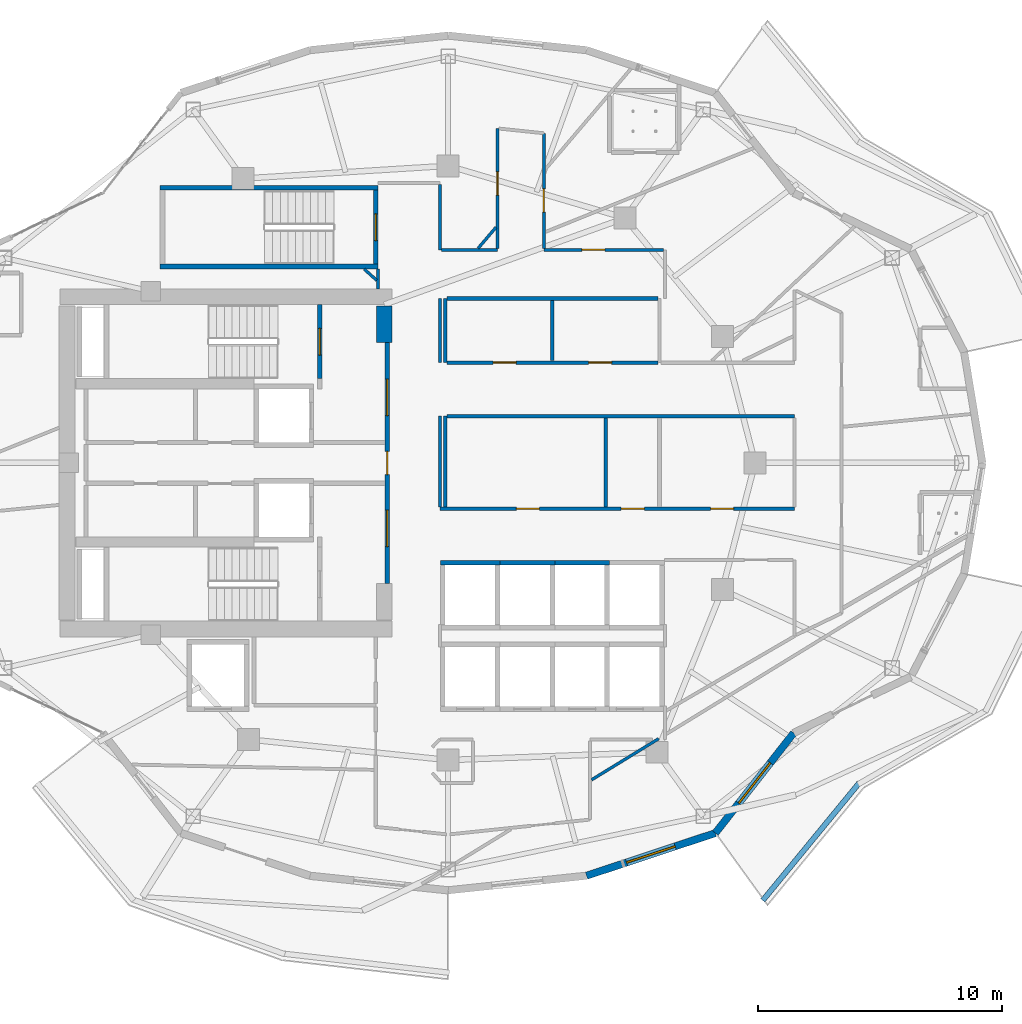
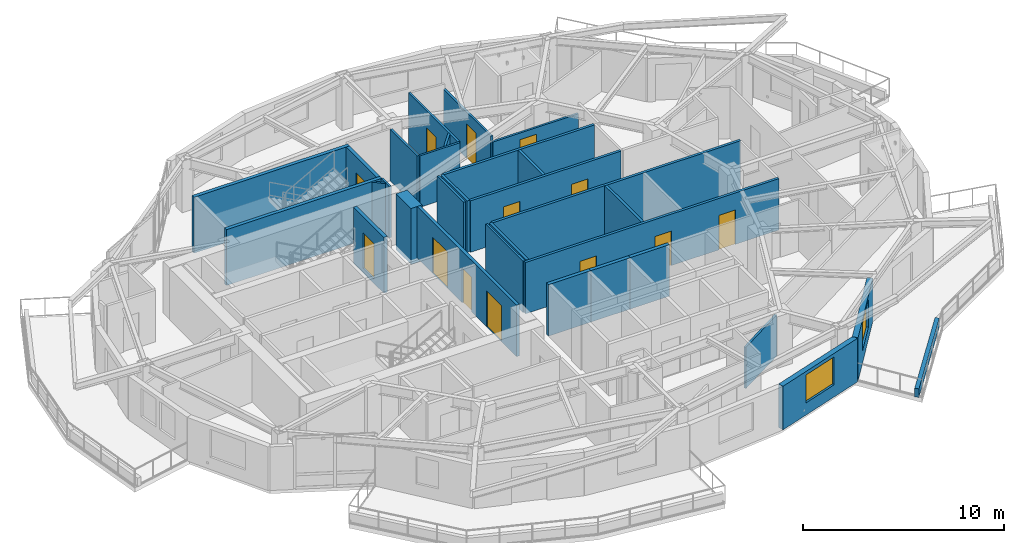
# One storey, part 9 of 16: 31 walls, 13 doors, 2 windows, 15 openings.
"""IFC4 building model written with IfcOpenShell, lengths in metres."""

from ifc_helpers import new_model, si_unit, direction, frame, frame_2d, origin, place, context, subcontext, project, spatial, rectangle, extrude, material, layer, layer_set, type_object, element, fill, save


model = new_model("IFC4")

# Units and contexts
model_context = context("Model", 3, precision=1e-05, world=origin(), true_north=direction((0.0, 1.0)))
body_context = subcontext(model_context, "Body", "Model", "MODEL_VIEW")
ifc_project = project(units=[si_unit("LENGTHUNIT", "METRE"), si_unit("AREAUNIT", "SQUARE_METRE"), si_unit("VOLUMEUNIT", "CUBIC_METRE"), si_unit("PLANEANGLEUNIT", "RADIAN"), si_unit("MASSUNIT", "GRAM", prefix="KILO")], contexts=[model_context])

# Site, building, storey
site_placement = place(None, origin())
site = spatial("IfcSite", under=ifc_project, at=site_placement, CompositionType="ELEMENT")
building_placement = place(site_placement, origin())
building = spatial("IfcBuilding", under=site, at=building_placement, Name="Kolvaren Gate Tower and Convention Centre", CompositionType="ELEMENT")
storey_placement = place(building_placement, frame((0.0, 0.0, 149.5)))
storey = spatial("IfcBuildingStorey", under=building, at=storey_placement, Name="L38", CompositionType="ELEMENT", Elevation=149.5)

# Wall, openings, doors
ifc_material_1 = material(Name="Autoclaved Aerated Masonry Blockwork Class 4 (4.0 MPa)", Category="masonry")
ifc_layer_1 = layer(ifc_material_1, 0.179931640625)
ifc_layer_set_1 = layer_set([ifc_layer_1], Name="Autoclaved Aerated Masonry Blockwork Class 4 (4.0 MPa)")
wall_type_1 = type_object("IfcWallType", Name="ARCH-WL-COMP-180", PredefinedType="SOLIDWALL", material=ifc_layer_set_1)
wall_1_placement = place(storey_placement, frame((27.6201171875, 22.050048828125, 0.0), z_axis=(0.0, 0.0, 1.0), x_axis=(0.0, 1.0, 0.0)))
wall_1 = element("IfcWall", 1, at=wall_1_placement, inside=storey, type_object=wall_type_1, Name="Interior Partition WL-L38-INT-004", PredefinedType="SOLIDWALL", context=body_context, shape_type="SweptSolid", body=[
    extrude(rectangle(XDim=9.89990234375, YDim=0.179931640625, at=frame_2d((4.949951171875, 0.0))), origin(), (0.0, 0.0, 1.0), 3.1298828125),
])
opening_1_placement = place(wall_1_placement, frame((4.47509765625, 0.0, 0.0)))
opening_1 = element("IfcOpeningElement", 2, at=opening_1_placement, cuts=wall_1, Name="Opening DR-01", PredefinedType="OPENING", context=body_context, shape_type="SweptSolid", body=[
    extrude(rectangle(XDim=0.949951171875, YDim=2.10009765625, at=frame_2d((0.47509765625, 1.050048828125))), frame((0.0, 0.099853515625, 0.0), z_axis=(0.0, -1.0, 0.0), x_axis=(1.0, 0.0, 0.0)), (0.0, 0.0, 1.0), 0.199951171875),
])
opening_2_placement = place(wall_1_placement, frame((6.889892578125, 0.0, 0.0)))
opening_2 = element("IfcOpeningElement", 3, at=opening_2_placement, cuts=wall_1, Name="Opening DL-01", PredefinedType="OPENING", context=body_context, shape_type="SweptSolid", body=[
    extrude(rectangle(XDim=1.5, YDim=2.199951171875, at=frame_2d((0.75, 1.10009765625))), frame((0.0, 0.099853515625, 0.0), z_axis=(0.0, -1.0, 0.0), x_axis=(1.0, 0.0, 0.0)), (0.0, 0.0, 1.0), 0.199951171875),
])
opening_3_placement = place(wall_1_placement, frame((1.510009765625, 0.0, 0.0)))
opening_3 = element("IfcOpeningElement", 4, at=opening_3_placement, cuts=wall_1, Name="Opening DL-01", PredefinedType="OPENING", context=body_context, shape_type="SweptSolid", body=[
    extrude(rectangle(XDim=1.5, YDim=2.199951171875, at=frame_2d((0.75, 1.10009765625))), frame((0.0, 0.099853515625, 0.0), z_axis=(0.0, -1.0, 0.0), x_axis=(1.0, 0.0, 0.0)), (0.0, 0.0, 1.0), 0.199951171875),
])
ifc_material_2 = material(Name="Painted Architectural Steelwork ASTM A500 Grade C 345 MPa", Category="steel")
door_type_1 = type_object("IfcDoorType", Name="ARCH-DR-LOBBY-1500", OperationType="DOUBLE_DOOR_SINGLE_SWING", PredefinedType="DOOR", material=ifc_material_2)
door_1_placement = place(opening_2_placement, origin())
door_1 = element("IfcDoor", 5, at=door_1_placement, inside=storey, type_object=door_type_1, Name="North Firefighting Stair and Lift Lobby Door", OperationType="DOUBLE_DOOR_SINGLE_SWING", OverallHeight=2.199951171875, OverallWidth=1.5, PredefinedType="DOOR", context=body_context, shape_type="SweptSolid", body=[
    extrude(rectangle(XDim=1.5, YDim=2.199951171875, at=frame_2d((0.75, 1.10009765625))), frame((0.0, 0.02490234375, 0.0), z_axis=(0.0, -1.0, 0.0), x_axis=(1.0, 0.0, 0.0)), (0.0, 0.0, 1.0), 0.050048828125),
])
fill(opening_2, door_1)
door_2_placement = place(opening_3_placement, origin())
door_2 = element("IfcDoor", 6, at=door_2_placement, inside=storey, type_object=door_type_1, Name="South Firefighting Stair and Lift Lobby Door", OperationType="DOUBLE_DOOR_SINGLE_SWING", OverallHeight=2.199951171875, OverallWidth=1.5, PredefinedType="DOOR", context=body_context, shape_type="SweptSolid", body=[
    extrude(rectangle(XDim=1.5, YDim=2.199951171875, at=frame_2d((0.75, 1.10009765625))), frame((0.0, 0.02490234375, 0.0), z_axis=(0.0, -1.0, 0.0), x_axis=(1.0, 0.0, 0.0)), (0.0, 0.0, 1.0), 0.050048828125),
])
fill(opening_3, door_2)
door_type_2 = type_object("IfcDoorType", Name="ARCH-DR-RISER-950", OperationType="SINGLE_SWING_RIGHT", PredefinedType="DOOR", material=ifc_material_2)
door_3_placement = place(opening_1_placement, origin())
door_3 = element("IfcDoor", 7, at=door_3_placement, inside=storey, type_object=door_type_2, Name="Central MEP Service Corridor Door", OperationType="SINGLE_SWING_LEFT", OverallHeight=2.10009765625, OverallWidth=0.949951171875, PredefinedType="DOOR", context=body_context, shape_type="SweptSolid", body=[
    extrude(rectangle(XDim=0.949951171875, YDim=2.10009765625, at=frame_2d((0.47509765625, 1.050048828125))), frame((0.0, 0.02490234375, 0.0), z_axis=(0.0, -1.0, 0.0), x_axis=(1.0, 0.0, 0.0)), (0.0, 0.0, 1.0), 0.050048828125),
])
fill(opening_1, door_3)

# Walls
ifc_material_3 = material(Name="Fire-Rated Acoustic Gypsum Stud Partition", Category="gypsum")
ifc_layer_2 = layer(ifc_material_3, 0.1201171875)
ifc_layer_set_2 = layer_set([ifc_layer_2], Name="Fire-Rated Acoustic Gypsum Stud Partition")
wall_type_2 = type_object("IfcWallType", Name="ARCH-WL-PART-120", PredefinedType="PARTITIONING", material=ifc_layer_set_2)
wall_2_placement = place(storey_placement, frame((27.25, 34.152099609375, 0.0), z_axis=(0.0, 0.0, 1.0), x_axis=(0.0, 1.0, 0.0)))
element("IfcWall", 8, at=wall_2_placement, inside=storey, type_object=wall_type_2, Name="Interior Partition WL-L38-INT-030", PredefinedType="PARTITIONING", context=body_context, shape_type="SweptSolid", body=[
    extrude(rectangle(XDim=0.805908203125, YDim=0.1201171875, at=frame_2d((0.40283203125, 0.0))), origin(), (0.0, 0.0, 1.0), 3.1298828125),
])
wall_3_placement = place(storey_placement, frame((29.780029296875, 25.197021484375, 0.0), z_axis=(0.0, 0.0, 1.0), x_axis=(0.0, 1.0, 0.0)))
element("IfcWall", 9, at=wall_3_placement, inside=storey, type_object=wall_type_2, Name="Interior Partition WL-L38-INT-033", PredefinedType="PARTITIONING", context=body_context, shape_type="SweptSolid", body=[
    extrude(rectangle(XDim=3.722900390625, YDim=0.1201171875, at=frame_2d((1.861328125, 0.0))), origin(), (0.0, 0.0, 1.0), 3.1298828125),
])
wall_4_placement = place(storey_placement, frame((29.780029296875, 31.1201171875, 0.0), z_axis=(0.0, 0.0, 1.0), x_axis=(0.0, 1.0, 0.0)))
element("IfcWall", 10, at=wall_4_placement, inside=storey, type_object=wall_type_2, Name="Interior Partition WL-L38-INT-034", PredefinedType="PARTITIONING", context=body_context, shape_type="SweptSolid", body=[
    extrude(rectangle(XDim=2.6298828125, YDim=0.1201171875, at=frame_2d((1.31494140625, 0.0))), origin(), (0.0, 0.0, 1.0), 3.1298828125),
])
wall_5_placement = place(storey_placement, frame((29.780029296875, 35.75, 0.0), z_axis=(0.0, 0.0, 1.0), x_axis=(0.0, 1.0, 0.0)))
element("IfcWall", 11, at=wall_5_placement, inside=storey, type_object=wall_type_2, Name="Interior Partition WL-L38-INT-035", PredefinedType="PARTITIONING", context=body_context, shape_type="SweptSolid", body=[
    extrude(rectangle(XDim=2.68798828125, YDim=0.1201171875, at=frame_2d((1.343994140625, 0.0))), origin(), (0.0, 0.0, 1.0), 3.1298828125),
])
wall_6_placement = place(storey_placement, frame((29.842041015625, 35.75, 0.0), z_axis=(0.0, 0.0, 1.0), x_axis=(1.0, 0.0, 0.0)))
element("IfcWall", 12, at=wall_6_placement, inside=storey, type_object=wall_type_2, Name="Interior Partition WL-L38-INT-036", PredefinedType="PARTITIONING", context=body_context, shape_type="SweptSolid", body=[
    extrude(rectangle(XDim=2.307861328125, YDim=0.1201171875, at=frame_2d((1.15380859375, 0.0))), origin(), (0.0, 0.0, 1.0), 3.1298828125),
])

# Wall, opening, door
wall_7_placement = place(storey_placement, frame((34.050048828125, 35.75, 0.0), z_axis=(0.0, 0.0, 1.0), x_axis=(1.0, 0.0, 0.0)))
wall_7 = element("IfcWall", 13, at=wall_7_placement, inside=storey, type_object=wall_type_2, Name="Interior Partition WL-L38-INT-037", PredefinedType="PARTITIONING", context=body_context, shape_type="SweptSolid", body=[
    extrude(rectangle(XDim=4.907958984375, YDim=0.1201171875, at=frame_2d((2.4541015625, 0.0))), origin(), (0.0, 0.0, 1.0), 2.5048828125),
])
opening_4_placement = place(wall_7_placement, frame((1.55908203125, 0.0, 0.0)))
opening_4 = element("IfcOpeningElement", 14, at=opening_4_placement, cuts=wall_7, Name="Opening DR-01", PredefinedType="OPENING", context=body_context, shape_type="SweptSolid", body=[
    extrude(rectangle(XDim=0.949951171875, YDim=2.10009765625, at=frame_2d((0.47509765625, 1.050048828125))), frame((0.0, 0.070068359375, 0.0), z_axis=(0.0, -1.0, 0.0), x_axis=(1.0, 0.0, 0.0)), (0.0, 0.0, 1.0), 0.14013671875),
])
door_4_placement = place(opening_4_placement, origin())
door_4 = element("IfcDoor", 15, at=door_4_placement, inside=storey, type_object=door_type_2, Name="Hotel Botanical Clubroom Door", OperationType="SINGLE_SWING_RIGHT", OverallHeight=2.10009765625, OverallWidth=0.949951171875, PredefinedType="DOOR", context=body_context, shape_type="SweptSolid", body=[
    extrude(rectangle(XDim=0.949951171875, YDim=2.10009765625, at=frame_2d((0.47509765625, 1.050048828125))), frame((0.0, 0.02490234375, 0.0), z_axis=(0.0, -1.0, 0.0), x_axis=(1.0, 0.0, 0.0)), (0.0, 0.0, 1.0), 0.050048828125),
])
fill(opening_4, door_4)

wall_8_placement = place(storey_placement, frame((32.14990234375, 35.81201171875, 0.0), z_axis=(0.0, 0.0, 1.0), x_axis=(0.0, 1.0, 0.0)))
wall_8 = element("IfcWall", 16, at=wall_8_placement, inside=storey, type_object=wall_type_2, Name="Interior Partition WL-L38-INT-038", PredefinedType="PARTITIONING", context=body_context, shape_type="SweptSolid", body=[
    extrude(rectangle(XDim=4.925048828125, YDim=0.1201171875, at=frame_2d((2.46240234375, 0.0))), origin(), (0.0, 0.0, 1.0), 3.1298828125),
])
opening_5_placement = place(wall_8_placement, frame((2.185302734375, 0.0, 0.0)))
opening_5 = element("IfcOpeningElement", 17, at=opening_5_placement, cuts=wall_8, Name="Opening DR-01", PredefinedType="OPENING", context=body_context, shape_type="SweptSolid", body=[
    extrude(rectangle(XDim=0.949951171875, YDim=2.10009765625, at=frame_2d((0.47509765625, 1.050048828125))), frame((0.0, 0.070068359375, 0.0), z_axis=(0.0, -1.0, 0.0), x_axis=(1.0, 0.0, 0.0)), (0.0, 0.0, 1.0), 0.14013671875),
])
door_5_placement = place(opening_5_placement, origin())
door_5 = element("IfcDoor", 18, at=door_5_placement, inside=storey, type_object=door_type_2, Name="Deluxe Hotel Suite (HTL-L38-10) Door", OperationType="SINGLE_SWING_RIGHT", OverallHeight=2.10009765625, OverallWidth=0.949951171875, PredefinedType="DOOR", context=body_context, shape_type="SweptSolid", body=[
    extrude(rectangle(XDim=0.949951171875, YDim=2.10009765625, at=frame_2d((0.47509765625, 1.050048828125))), frame((0.0, 0.02490234375, 0.0), z_axis=(0.0, -1.0, 0.0), x_axis=(1.0, 0.0, 0.0)), (0.0, 0.0, 1.0), 0.050048828125),
])
fill(opening_5, door_5)

wall_9_placement = place(storey_placement, frame((34.050048828125, 35.81201171875, 0.0), z_axis=(0.0, 0.0, 1.0), x_axis=(0.0, 1.0, 0.0)))
wall_9 = element("IfcWall", 19, at=wall_9_placement, inside=storey, type_object=wall_type_2, Name="Interior Partition WL-L38-INT-040", PredefinedType="PARTITIONING", context=body_context, shape_type="SweptSolid", body=[
    extrude(rectangle(XDim=4.72509765625, YDim=0.1201171875, at=frame_2d((2.362548828125, 0.0))), origin(), (0.0, 0.0, 1.0), 2.81201171875),
])
opening_6_placement = place(wall_9_placement, frame((1.48828125, 0.0, 0.0)))
opening_6 = element("IfcOpeningElement", 20, at=opening_6_placement, cuts=wall_9, Name="Opening DR-01", PredefinedType="OPENING", context=body_context, shape_type="SweptSolid", body=[
    extrude(rectangle(XDim=0.949951171875, YDim=2.10009765625, at=frame_2d((0.47509765625, 1.050048828125))), frame((0.0, 0.070068359375, 0.0), z_axis=(0.0, -1.0, 0.0), x_axis=(1.0, 0.0, 0.0)), (0.0, 0.0, 1.0), 0.14013671875),
])
door_6_placement = place(opening_6_placement, origin())
door_6 = element("IfcDoor", 21, at=door_6_placement, inside=storey, type_object=door_type_2, Name="Deluxe Hotel Suite (HTL-L38-09) Door", OperationType="SINGLE_SWING_LEFT", OverallHeight=2.10009765625, OverallWidth=0.949951171875, PredefinedType="DOOR", context=body_context, shape_type="SweptSolid", body=[
    extrude(rectangle(XDim=0.949951171875, YDim=2.10009765625, at=frame_2d((0.47509765625, 1.050048828125))), frame((0.0, 0.02490234375, 0.0), z_axis=(0.0, -1.0, 0.0), x_axis=(1.0, 0.0, 0.0)), (0.0, 0.0, 1.0), 0.050048828125),
])
fill(opening_6, door_6)

# Walls
wall_10_placement = place(storey_placement, frame((36.011962890625, 13.988037109375, 0.0), z_axis=(0.0, 0.0, 1.0), x_axis=(0.852640355982, 0.522498252008, 0.0)))
element("IfcWall", 22, at=wall_10_placement, inside=storey, type_object=wall_type_2, Name="Interior Partition WL-L38-INT-056", PredefinedType="PARTITIONING", context=body_context, shape_type="SweptSolid", body=[
    extrude(rectangle(XDim=3.230224609375, YDim=0.1201171875, at=frame_2d((1.615234375, 0.0))), origin(), (0.0, 0.0, 1.0), 2.5048828125),
])
wall_11_placement = place(storey_placement, frame((31.3525390625, 35.81201171875, 0.0), z_axis=(0.0, 0.0, 1.0), x_axis=(0.648023053701, 0.761620720485, 0.0)))
element("IfcWall", 23, at=wall_11_placement, inside=storey, type_object=wall_type_2, Name="Interior Partition WL-L38-INT-068", PredefinedType="PARTITIONING", context=body_context, shape_type="SweptSolid", body=[
    extrude(rectangle(XDim=1.134765625, YDim=0.1201171875, at=frame_2d((0.5673828125, 0.0))), origin(), (0.0, 0.0, 1.0), 3.1298828125),
])
wall_12_placement = place(storey_placement, frame((26.67822265625, 34.9580078125, 0.0), z_axis=(0.0, 0.0, 1.0), x_axis=(0.742975583244, -0.669318521112, 0.0)))
element("IfcWall", 24, at=wall_12_placement, inside=storey, type_object=wall_type_2, Name="Interior Partition WL-L38-INT-078", PredefinedType="PARTITIONING", context=body_context, shape_type="SweptSolid", body=[
    extrude(rectangle(XDim=0.68603515625, YDim=0.1201171875, at=frame_2d((0.343017578125, 0.0))), origin(), (0.0, 0.0, 1.0), 3.1298828125),
])
ifc_material_4 = material(Name="Piedmont Cream Honed Limestone Cladding", Category="masonry")
ifc_layer_3 = layer(ifc_material_4, 0.219970703125)
ifc_layer_set_3 = layer_set([ifc_layer_3], Name="Piedmont Cream Honed Limestone Cladding")
wall_type_3 = type_object("IfcWallType", Name="ARCH-WL-PLANTER-220", PredefinedType="PARAPET", material=ifc_layer_set_3)
wall_13_placement = place(storey_placement, frame((43.0419921875, 9.03564453125, 0.0), z_axis=(0.0, 0.0, 1.0), x_axis=(0.634429234628, 0.77298094818, 0.0)))
element("IfcWall", 25, at=wall_13_placement, inside=storey, type_object=wall_type_3, Name="Vertical-Forest Balcony Stone Planter Kerb PK-L38-4.1", PredefinedType="PARAPET", context=body_context, shape_type="SweptSolid", body=[
    extrude(rectangle(XDim=6.244873046875, YDim=0.219970703125, at=frame_2d((3.12255859375, 0.0))), origin(), (0.0, 0.0, 1.0), 0.52001953125),
])
ifc_layer_4 = layer(ifc_material_1, 0.199951171875)
ifc_layer_set_4 = layer_set([ifc_layer_4], Name="Autoclaved Aerated Masonry Blockwork Class 4 (4.0 MPa)")
wall_type_4 = type_object("IfcWallType", Name="ARCH-WL-SHAFT-200", PredefinedType="SOLIDWALL", material=ifc_layer_set_4)
wall_14_placement = place(storey_placement, frame((29.800048828125, 22.89990234375, 0.0), z_axis=(0.0, 0.0, 1.0), x_axis=(1.0, 0.0, 0.0)))
element("IfcWall", 26, at=wall_14_placement, inside=storey, type_object=wall_type_4, Name="Elevator PL-09 L38 Fire Shaft Wall N", PredefinedType="SOLIDWALL", context=body_context, shape_type="SweptSolid", body=[
    extrude(rectangle(XDim=2.449951171875, YDim=0.199951171875, at=frame_2d((1.22509765625, 0.0))), origin(), (0.0, 0.0, 1.0), 3.1298828125),
])
for number, where, z_axis, x_axis, name in (
    (27, (32.25, 22.89990234375, 0.0), (0.0, 0.0, 1.0), (1.0, 0.0, 0.0), "Elevator PL-10 L38 Fire Shaft Wall N"),
    (28, (34.5, 22.89990234375, 0.0), (0.0, 0.0, 1.0), (1.0, 0.0, 0.0), "Elevator PL-11 L38 Fire Shaft Wall N"),
):
    element("IfcWall", number, at=place(storey_placement, frame(where, z_axis=z_axis, x_axis=x_axis)), inside=storey, type_object=wall_type_4, Name=name, PredefinedType="SOLIDWALL", context=body_context, shape_type="SweptSolid", body=[
        extrude(rectangle(XDim=2.25, YDim=0.199951171875, at=frame_2d((1.125, 0.0))), origin(), (0.0, 0.0, 1.0), 3.1298828125),
    ])

# Wall, opening, window
ifc_layer_5 = layer(ifc_material_4, 0.300048828125)
ifc_layer_set_5 = layer_set([ifc_layer_5], Name="Piedmont Cream Honed Limestone Cladding")
wall_type_5 = type_object("IfcWallType", Name="ARCH-WL-STONE-300", PredefinedType="SOLIDWALL", material=ifc_layer_set_5)
wall_15_placement = place(storey_placement, frame((35.802734375, 10.048095703125, 0.0), z_axis=(0.0, 0.0, 1.0), x_axis=(0.949246811547, 0.314532177636, 0.0)))
wall_15 = element("IfcWall", 29, at=wall_15_placement, inside=storey, type_object=wall_type_5, Name="Tower L38 Honed Stone Spandrel Wall EW-19", PredefinedType="SOLIDWALL", context=body_context, shape_type="SweptSolid", body=[
    extrude(rectangle(XDim=5.573974609375, YDim=0.300048828125, at=frame_2d((2.787109375, 0.0))), origin(), (0.0, 0.0, 1.0), 2.653076171875),
])
opening_7_placement = place(wall_15_placement, frame((1.737060546875, 0.0, 0.739990234375)))
opening_7 = element("IfcOpeningElement", 30, at=opening_7_placement, cuts=wall_15, Name="Opening W-02", PredefinedType="OPENING", context=body_context, shape_type="SweptSolid", body=[
    extrude(rectangle(XDim=2.10009765625, YDim=1.699951171875, at=frame_2d((1.050048828125, 0.85009765625))), frame((0.0, 0.159912109375, 0.0), z_axis=(0.0, -1.0, 0.0), x_axis=(1.0, 0.0, 0.0)), (0.0, 0.0, 1.0), 0.320068359375),
])
ifc_material_5 = material(Name="Low-E Triple Insulated Glazing Unit 44 mm", Category="glass")
window_type = type_object("IfcWindowType", Name="ARCH-WN-HTL-2100", PartitioningType="SINGLE_PANEL", PredefinedType="WINDOW", material=ifc_material_5)
window_1_placement = place(opening_7_placement, origin())
window_1 = element("IfcWindow", 31, at=window_1_placement, inside=storey, type_object=window_type, Name="Tower L38 Punched Stone Facade Window W-19", OverallHeight=1.699951171875, OverallWidth=2.10009765625, PartitioningType="SINGLE_PANEL", PredefinedType="WINDOW", context=body_context, shape_type="SweptSolid", body=[
    extrude(rectangle(XDim=2.10009765625, YDim=1.699951171875, at=frame_2d((1.050048828125, 0.85009765625))), frame((0.0, 0.030029296875, 0.0), z_axis=(0.0, -1.0, 0.0), x_axis=(1.0, 0.0, 0.0)), (0.0, 0.0, 1.0), 0.06005859375),
])
fill(opening_7, window_1)

wall_16_placement = place(storey_placement, frame((41.09375, 11.80126953125, 0.0), z_axis=(0.0, 0.0, 1.0), x_axis=(0.616429245738, 0.787410302828, 0.0)))
wall_16 = element("IfcWall", 32, at=wall_16_placement, inside=storey, type_object=wall_type_5, Name="Tower L38 Honed Stone Spandrel Wall EW-20", PredefinedType="SOLIDWALL", context=body_context, shape_type="SweptSolid", body=[
    extrude(rectangle(XDim=5.22314453125, YDim=0.300048828125, at=frame_2d((2.611572265625, 0.0))), origin(), (0.0, 0.0, 1.0), 2.653076171875),
])
opening_8_placement = place(wall_16_placement, frame((1.56201171875, 0.0, 0.739990234375)))
opening_8 = element("IfcOpeningElement", 33, at=opening_8_placement, cuts=wall_16, Name="Opening W-02", PredefinedType="OPENING", context=body_context, shape_type="SweptSolid", body=[
    extrude(rectangle(XDim=2.10009765625, YDim=1.699951171875, at=frame_2d((1.050048828125, 0.85009765625))), frame((0.0, 0.159912109375, 0.0), z_axis=(0.0, -1.0, 0.0), x_axis=(1.0, 0.0, 0.0)), (0.0, 0.0, 1.0), 0.320068359375),
])
window_2_placement = place(opening_8_placement, origin())
window_2 = element("IfcWindow", 34, at=window_2_placement, inside=storey, type_object=window_type, Name="Tower L38 Punched Stone Facade Window W-20", OverallHeight=1.699951171875, OverallWidth=2.10009765625, PartitioningType="SINGLE_PANEL", PredefinedType="WINDOW", context=body_context, shape_type="SweptSolid", body=[
    extrude(rectangle(XDim=2.10009765625, YDim=1.699951171875, at=frame_2d((1.050048828125, 0.85009765625))), frame((0.0, 0.030029296875, 0.0), z_axis=(0.0, -1.0, 0.0), x_axis=(1.0, 0.0, 0.0)), (0.0, 0.0, 1.0), 0.06005859375),
])
fill(opening_8, window_2)

# Wall, openings, doors
ifc_material_6 = material(Name="Moisture-Resistant Cement-Board Acoustic Partition", Category="gypsum")
ifc_layer_6 = layer(ifc_material_6, 0.14990234375)
ifc_layer_set_6 = layer_set([ifc_layer_6], Name="Moisture-Resistant Cement-Board Acoustic Partition")
wall_type_6 = type_object("IfcWallType", Name="ARCH-WL-WET-150", PredefinedType="PARTITIONING", material=ifc_layer_set_6)
wall_17_placement = place(storey_placement, frame((29.780029296875, 25.1201171875, 0.0), z_axis=(0.0, 0.0, 1.0), x_axis=(1.0, 0.0, 0.0)))
wall_17 = element("IfcWall", 35, at=wall_17_placement, inside=storey, type_object=wall_type_6, Name="Interior Partition WL-L38-INT-013", PredefinedType="PARTITIONING", context=body_context, shape_type="SweptSolid", body=[
    extrude(rectangle(XDim=14.570068359375, YDim=0.14990234375, at=frame_2d((7.28515625, 0.0))), origin(), (0.0, 0.0, 1.0), 3.1298828125),
])
opening_9_placement = place(wall_17_placement, frame((3.139892578125, 0.0, 0.0)))
opening_9 = element("IfcOpeningElement", 36, at=opening_9_placement, cuts=wall_17, Name="Opening DR-01", PredefinedType="OPENING", context=body_context, shape_type="SweptSolid", body=[
    extrude(rectangle(XDim=0.949951171875, YDim=2.10009765625, at=frame_2d((0.47509765625, 1.050048828125))), frame((0.0, 0.0849609375, 0.0), z_axis=(0.0, -1.0, 0.0), x_axis=(1.0, 0.0, 0.0)), (0.0, 0.0, 1.0), 0.169921875),
])
opening_10_placement = place(wall_17_placement, frame((7.445068359375, 0.0, 0.0)))
opening_10 = element("IfcOpeningElement", 37, at=opening_10_placement, cuts=wall_17, Name="Opening DR-01", PredefinedType="OPENING", context=body_context, shape_type="SweptSolid", body=[
    extrude(rectangle(XDim=0.949951171875, YDim=2.10009765625, at=frame_2d((0.47509765625, 1.050048828125))), frame((0.0, 0.0849609375, 0.0), z_axis=(0.0, -1.0, 0.0), x_axis=(1.0, 0.0, 0.0)), (0.0, 0.0, 1.0), 0.169921875),
])
opening_11_placement = place(wall_17_placement, frame((11.114990234375, 0.0, 0.0)))
opening_11 = element("IfcOpeningElement", 38, at=opening_11_placement, cuts=wall_17, Name="Opening DR-01", PredefinedType="OPENING", context=body_context, shape_type="SweptSolid", body=[
    extrude(rectangle(XDim=0.949951171875, YDim=2.10009765625, at=frame_2d((0.47509765625, 1.050048828125))), frame((0.0, 0.0849609375, 0.0), z_axis=(0.0, -1.0, 0.0), x_axis=(1.0, 0.0, 0.0)), (0.0, 0.0, 1.0), 0.169921875),
])
door_7_placement = place(opening_9_placement, origin())
door_7 = element("IfcDoor", 39, at=door_7_placement, inside=storey, type_object=door_type_2, Name="Accessible Universal Washroom Door", OperationType="SINGLE_SWING_LEFT", OverallHeight=2.10009765625, OverallWidth=0.949951171875, PredefinedType="DOOR", context=body_context, shape_type="SweptSolid", body=[
    extrude(rectangle(XDim=0.949951171875, YDim=2.10009765625, at=frame_2d((0.47509765625, 1.050048828125))), frame((0.0, 0.02490234375, 0.0), z_axis=(0.0, -1.0, 0.0), x_axis=(1.0, 0.0, 0.0)), (0.0, 0.0, 1.0), 0.050048828125),
])
fill(opening_9, door_7)
door_8_placement = place(opening_10_placement, origin())
door_8 = element("IfcDoor", 40, at=door_8_placement, inside=storey, type_object=door_type_2, Name="Hotel Housekeeping and Linen Store Door", OperationType="SINGLE_SWING_RIGHT", OverallHeight=2.10009765625, OverallWidth=0.949951171875, PredefinedType="DOOR", context=body_context, shape_type="SweptSolid", body=[
    extrude(rectangle(XDim=0.949951171875, YDim=2.10009765625, at=frame_2d((0.47509765625, 1.050048828125))), frame((0.0, 0.02490234375, 0.0), z_axis=(0.0, -1.0, 0.0), x_axis=(1.0, 0.0, 0.0)), (0.0, 0.0, 1.0), 0.050048828125),
])
fill(opening_10, door_8)
door_9_placement = place(opening_11_placement, origin())
door_9 = element("IfcDoor", 41, at=door_9_placement, inside=storey, type_object=door_type_2, Name="Hotel Botanical Clubroom Door", OperationType="SINGLE_SWING_RIGHT", OverallHeight=2.10009765625, OverallWidth=0.949951171875, PredefinedType="DOOR", context=body_context, shape_type="SweptSolid", body=[
    extrude(rectangle(XDim=0.949951171875, YDim=2.10009765625, at=frame_2d((0.47509765625, 1.050048828125))), frame((0.0, 0.02490234375, 0.0), z_axis=(0.0, -1.0, 0.0), x_axis=(1.0, 0.0, 0.0)), (0.0, 0.0, 1.0), 0.050048828125),
])
fill(opening_11, door_9)

# Walls
wall_18_placement = place(storey_placement, frame((30.0, 25.197021484375, 0.0), z_axis=(0.0, 0.0, 1.0), x_axis=(0.0, 1.0, 0.0)))
element("IfcWall", 42, at=wall_18_placement, inside=storey, type_object=wall_type_6, Name="Interior Partition WL-L38-INT-014", PredefinedType="PARTITIONING", context=body_context, shape_type="SweptSolid", body=[
    extrude(rectangle(XDim=3.722900390625, YDim=0.14990234375, at=frame_2d((1.861328125, 0.0))), origin(), (0.0, 0.0, 1.0), 3.1298828125),
])
wall_19_placement = place(storey_placement, frame((30.0, 31.1201171875, 0.0), z_axis=(0.0, 0.0, 1.0), x_axis=(0.0, 1.0, 0.0)))
element("IfcWall", 43, at=wall_19_placement, inside=storey, type_object=wall_type_6, Name="Interior Partition WL-L38-INT-015", PredefinedType="PARTITIONING", context=body_context, shape_type="SweptSolid", body=[
    extrude(rectangle(XDim=2.6298828125, YDim=0.14990234375, at=frame_2d((1.31494140625, 0.0))), origin(), (0.0, 0.0, 1.0), 3.1298828125),
])
wall_20_placement = place(storey_placement, frame((30.076904296875, 28.919921875, 0.0), z_axis=(0.0, 0.0, 1.0), x_axis=(1.0, 0.0, 0.0)))
element("IfcWall", 44, at=wall_20_placement, inside=storey, type_object=wall_type_6, Name="Interior Partition WL-L38-INT-016", PredefinedType="PARTITIONING", context=body_context, shape_type="SweptSolid", body=[
    extrude(rectangle(XDim=14.273193359375, YDim=0.14990234375, at=frame_2d((7.13671875, 0.0))), origin(), (0.0, 0.0, 1.0), 3.1298828125),
])
wall_21_placement = place(storey_placement, frame((36.60009765625, 25.197021484375, 0.0), z_axis=(0.0, 0.0, 1.0), x_axis=(0.0, 1.0, 0.0)))
element("IfcWall", 45, at=wall_21_placement, inside=storey, type_object=wall_type_6, Name="Interior Partition WL-L38-INT-017", PredefinedType="PARTITIONING", context=body_context, shape_type="SweptSolid", body=[
    extrude(rectangle(XDim=3.64599609375, YDim=0.14990234375, at=frame_2d((1.822998046875, 0.0))), origin(), (0.0, 0.0, 1.0), 3.1298828125),
])

# Wall, openings, doors
wall_22_placement = place(storey_placement, frame((30.076904296875, 31.1201171875, 0.0), z_axis=(0.0, 0.0, 1.0), x_axis=(1.0, 0.0, 0.0)))
wall_22 = element("IfcWall", 46, at=wall_22_placement, inside=storey, type_object=wall_type_6, Name="Interior Partition WL-L38-INT-020", PredefinedType="PARTITIONING", context=body_context, shape_type="SweptSolid", body=[
    extrude(rectangle(XDim=8.6611328125, YDim=0.14990234375, at=frame_2d((4.33056640625, 0.0))), origin(), (0.0, 0.0, 1.0), 3.1298828125),
])
opening_12_placement = place(wall_22_placement, frame((1.8916015625, 0.0, 0.0)))
opening_12 = element("IfcOpeningElement", 47, at=opening_12_placement, cuts=wall_22, Name="Opening DR-01", PredefinedType="OPENING", context=body_context, shape_type="SweptSolid", body=[
    extrude(rectangle(XDim=0.949951171875, YDim=2.10009765625, at=frame_2d((0.47509765625, 1.050048828125))), frame((0.0, 0.0849609375, 0.0), z_axis=(0.0, -1.0, 0.0), x_axis=(1.0, 0.0, 0.0)), (0.0, 0.0, 1.0), 0.169921875),
])
opening_13_placement = place(wall_22_placement, frame((5.81201171875, 0.0, 0.0)))
opening_13 = element("IfcOpeningElement", 48, at=opening_13_placement, cuts=wall_22, Name="Opening DR-01", PredefinedType="OPENING", context=body_context, shape_type="SweptSolid", body=[
    extrude(rectangle(XDim=0.949951171875, YDim=2.10009765625, at=frame_2d((0.47509765625, 1.050048828125))), frame((0.0, 0.0849609375, 0.0), z_axis=(0.0, -1.0, 0.0), x_axis=(1.0, 0.0, 0.0)), (0.0, 0.0, 1.0), 0.169921875),
])
door_10_placement = place(opening_12_placement, origin())
door_10 = element("IfcDoor", 49, at=door_10_placement, inside=storey, type_object=door_type_2, Name="Valet and Linen Store Door", OperationType="SINGLE_SWING_LEFT", OverallHeight=2.10009765625, OverallWidth=0.949951171875, PredefinedType="DOOR", context=body_context, shape_type="SweptSolid", body=[
    extrude(rectangle(XDim=0.949951171875, YDim=2.10009765625, at=frame_2d((0.47509765625, 1.050048828125))), frame((0.0, 0.02490234375, 0.0), z_axis=(0.0, -1.0, 0.0), x_axis=(1.0, 0.0, 0.0)), (0.0, 0.0, 1.0), 0.050048828125),
])
fill(opening_12, door_10)
door_11_placement = place(opening_13_placement, origin())
door_11 = element("IfcDoor", 50, at=door_11_placement, inside=storey, type_object=door_type_2, Name="Ice and Beverage Pantry Door", OperationType="SINGLE_SWING_RIGHT", OverallHeight=2.10009765625, OverallWidth=0.949951171875, PredefinedType="DOOR", context=body_context, shape_type="SweptSolid", body=[
    extrude(rectangle(XDim=0.949951171875, YDim=2.10009765625, at=frame_2d((0.47509765625, 1.050048828125))), frame((0.0, 0.02490234375, 0.0), z_axis=(0.0, -1.0, 0.0), x_axis=(1.0, 0.0, 0.0)), (0.0, 0.0, 1.0), 0.050048828125),
])
fill(opening_13, door_11)

# Walls
wall_23_placement = place(storey_placement, frame((30.076904296875, 33.75, 0.0), z_axis=(0.0, 0.0, 1.0), x_axis=(1.0, 0.0, 0.0)))
element("IfcWall", 51, at=wall_23_placement, inside=storey, type_object=wall_type_6, Name="Interior Partition WL-L38-INT-021", PredefinedType="PARTITIONING", context=body_context, shape_type="SweptSolid", body=[
    extrude(rectangle(XDim=8.6611328125, YDim=0.14990234375, at=frame_2d((4.33056640625, 0.0))), origin(), (0.0, 0.0, 1.0), 3.1298828125),
])
wall_24_placement = place(storey_placement, frame((34.39990234375, 31.197021484375, 0.0), z_axis=(0.0, 0.0, 1.0), x_axis=(0.0, 1.0, 0.0)))
element("IfcWall", 52, at=wall_24_placement, inside=storey, type_object=wall_type_6, Name="Interior Partition WL-L38-INT-022", PredefinedType="PARTITIONING", context=body_context, shape_type="SweptSolid", body=[
    extrude(rectangle(XDim=2.47607421875, YDim=0.14990234375, at=frame_2d((1.238037109375, 0.0))), origin(), (0.0, 0.0, 1.0), 3.1298828125),
])
ifc_material_7 = material(Name="Concrete C60/75", Category="concrete")
ifc_layer_7 = layer(ifc_material_7, 0.64990234375)
ifc_layer_set_7 = layer_set([ifc_layer_7], Name="Concrete C60/75")
wall_type_7 = type_object("IfcWallType", Name="STR-WL-CORE-650", PredefinedType="SHEAR", material=ifc_layer_set_7)
wall_25_placement = place(storey_placement, frame((27.5, 31.949951171875, -0.27001953125), z_axis=(0.0, 0.0, 1.0), x_axis=(0.0, 1.0, 0.0)))
element("IfcWall", 53, at=wall_25_placement, inside=storey, type_object=wall_type_7, Name="Tower L38 Offset Core Shear Wall EN", PredefinedType="SHEAR", context=body_context, shape_type="SweptSolid", body=[
    extrude(rectangle(XDim=1.5, YDim=0.64990234375, at=frame_2d((0.75, 0.0))), origin(), (0.0, 0.0, 1.0), 3.39990234375),
])

# Wall, opening, door
ifc_material_8 = material(Name="Concrete C50/60", Category="concrete")
ifc_layer_8 = layer(ifc_material_8, 0.199951171875)
ifc_layer_set_8 = layer_set([ifc_layer_8], Name="Concrete C50/60")
wall_type_8 = type_object("IfcWallType", Name="STR-WL-SHAFT-200", PredefinedType="SHEAR", material=ifc_layer_set_8)
wall_26_placement = place(storey_placement, frame((24.85009765625, 30.4599609375, -0.27001953125), z_axis=(0.0, 0.0, 1.0), x_axis=(0.0, 1.0, 0.0)))
wall_26 = element("IfcWall", 54, at=wall_26_placement, inside=storey, type_object=wall_type_8, Name="Tower North Exit Stair ST-T1 L38 Structural Shear Enclosure Wall NEAR", PredefinedType="SHEAR", context=body_context, shape_type="SweptSolid", body=[
    extrude(rectangle(XDim=3.0380859375, YDim=0.199951171875, at=frame_2d((1.51904296875, 0.0))), origin(), (0.0, 0.0, 1.0), 3.39990234375),
])
opening_14_placement = place(wall_26_placement, frame((0.968994140625, 0.0, 0.27001953125)))
opening_14 = element("IfcOpeningElement", 55, at=opening_14_placement, cuts=wall_26, Name="Opening DS-01", PredefinedType="OPENING", context=body_context, shape_type="SweptSolid", body=[
    extrude(rectangle(XDim=1.10009765625, YDim=2.14990234375, at=frame_2d((0.550048828125, 1.074951171875))), frame((0.0, 0.10986328125, 0.0), z_axis=(0.0, -1.0, 0.0), x_axis=(1.0, 0.0, 0.0)), (0.0, 0.0, 1.0), 0.219970703125),
])
door_type_3 = type_object("IfcDoorType", Name="ARCH-DR-STAIR-1100", OperationType="SINGLE_SWING_LEFT", PredefinedType="DOOR", material=ifc_material_2)
door_12_placement = place(opening_14_placement, origin())
door_12 = element("IfcDoor", 56, at=door_12_placement, inside=storey, type_object=door_type_3, Name="Tower North Exit Stair ST-T1 L38 Fire Exit Stair Door", OperationType="SINGLE_SWING_RIGHT", OverallHeight=2.14990234375, OverallWidth=1.10009765625, PredefinedType="DOOR", context=body_context, shape_type="SweptSolid", body=[
    extrude(rectangle(XDim=1.10009765625, YDim=2.14990234375, at=frame_2d((0.550048828125, 1.074951171875))), frame((0.0, 0.02490234375, 0.0), z_axis=(0.0, -1.0, 0.0), x_axis=(1.0, 0.0, 0.0)), (0.0, 0.0, 1.0), 0.050048828125),
])
fill(opening_14, door_12)

wall_27_placement = place(storey_placement, frame((27.14990234375, 35.159912109375, -0.27001953125), z_axis=(0.0, 0.0, 1.0), x_axis=(0.0, 1.0, 0.0)))
wall_27 = element("IfcWall", 57, at=wall_27_placement, inside=storey, type_object=wall_type_8, Name="Tower Mid-Zone Exit Stair ST-T3 L38 Structural Shear Enclosure Wall NEAR", PredefinedType="SHEAR", context=body_context, shape_type="SweptSolid", body=[
    extrude(rectangle(XDim=3.0400390625, YDim=0.199951171875, at=frame_2d((1.52001953125, 0.0))), origin(), (0.0, 0.0, 1.0), 3.39990234375),
])
opening_15_placement = place(wall_27_placement, frame((0.969970703125, 0.0, 0.27001953125)))
opening_15 = element("IfcOpeningElement", 58, at=opening_15_placement, cuts=wall_27, Name="Opening DS-01", PredefinedType="OPENING", context=body_context, shape_type="SweptSolid", body=[
    extrude(rectangle(XDim=1.10009765625, YDim=2.14990234375, at=frame_2d((0.550048828125, 1.074951171875))), frame((0.0, 0.10986328125, 0.0), z_axis=(0.0, -1.0, 0.0), x_axis=(1.0, 0.0, 0.0)), (0.0, 0.0, 1.0), 0.219970703125),
])
door_13_placement = place(opening_15_placement, origin())
door_13 = element("IfcDoor", 59, at=door_13_placement, inside=storey, type_object=door_type_3, Name="Tower Mid-Zone Exit Stair ST-T3 L38 Fire Exit Stair Door", OperationType="SINGLE_SWING_RIGHT", OverallHeight=2.14990234375, OverallWidth=1.10009765625, PredefinedType="DOOR", context=body_context, shape_type="SweptSolid", body=[
    extrude(rectangle(XDim=1.10009765625, YDim=2.14990234375, at=frame_2d((0.550048828125, 1.074951171875))), frame((0.0, 0.02490234375, 0.0), z_axis=(0.0, -1.0, 0.0), x_axis=(1.0, 0.0, 0.0)), (0.0, 0.0, 1.0), 0.050048828125),
])
fill(opening_15, door_13)

# Walls
for number, where, z_axis, x_axis, name in (
    (60, (18.300048828125, 38.300048828125, -0.27001953125), (0.0, 0.0, 1.0), (1.0, 0.0, 0.0), "Tower Mid-Zone Exit Stair ST-T3 L38 Structural Shear Enclosure Wall LEFT"),
    (61, (18.300048828125, 35.06005859375, -0.27001953125), (0.0, 0.0, 1.0), (1.0, 0.0, 0.0), "Tower Mid-Zone Exit Stair ST-T3 L38 Structural Shear Enclosure Wall RGHT"),
):
    element("IfcWall", number, at=place(storey_placement, frame(where, z_axis=z_axis, x_axis=x_axis)), inside=storey, type_object=wall_type_8, Name=name, PredefinedType="SHEAR", context=body_context, shape_type="SweptSolid", body=[
        extrude(rectangle(XDim=8.949951171875, YDim=0.199951171875, at=frame_2d((4.47509765625, 0.0))), origin(), (0.0, 0.0, 1.0), 3.39990234375),
    ])

save(model, "model.ifc")
